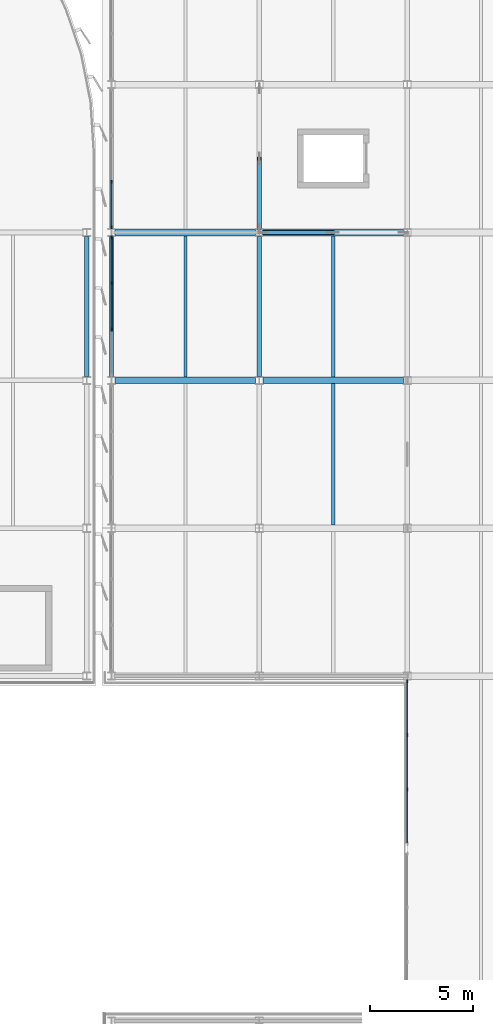
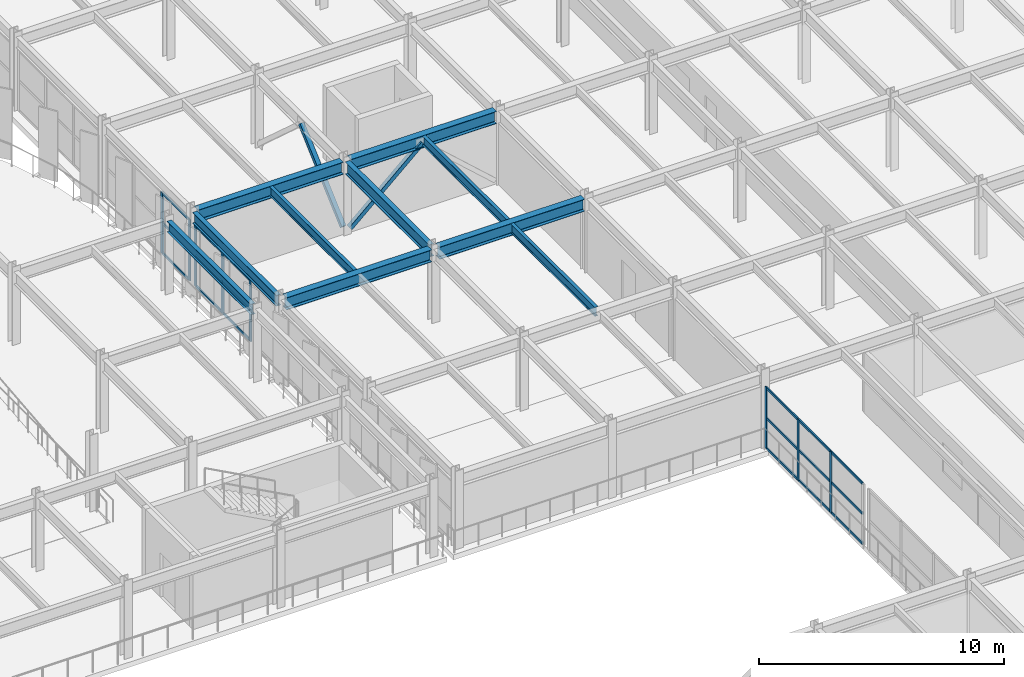
# One storey, part 44 of 93: 28 members, 10 beams, 3 elements without a shape of their own.
"""IFC4 building model written with IfcOpenShell, lengths in metres."""

from ifc_helpers import new_model, si_unit, direction, frame, origin, origin_2d, place, context, subcontext, project, spatial, rectangle, hollow_rectangle, i_section, extrude, material, material_profile, profile_set, type_object, element, aggregate, save


model = new_model("IFC4")

# Units and contexts
model_context = context("Model", 3, precision=1e-05, world=origin(), true_north=direction((0.0, 1.0)))
body_context = subcontext(model_context, "Body", "Model", "MODEL_VIEW")
ifc_project = project(units=[si_unit("LENGTHUNIT", "METRE"), si_unit("AREAUNIT", "SQUARE_METRE"), si_unit("VOLUMEUNIT", "CUBIC_METRE"), si_unit("PLANEANGLEUNIT", "RADIAN"), si_unit("MASSUNIT", "GRAM", prefix="KILO")], contexts=[model_context])

# Site, building, storey
site_placement = place(None, origin())
site = spatial("IfcSite", under=ifc_project, at=site_placement, CompositionType="ELEMENT")
building_placement = place(site_placement, origin())
building = spatial("IfcBuilding", under=site, at=building_placement, Name="Vaelcorin Mobility Hub", CompositionType="ELEMENT")
storey_placement = place(building_placement, frame((0.0, 0.0, 5.39990234375)))
storey = spatial("IfcBuildingStorey", under=building, at=storey_placement, Name="L01", CompositionType="ELEMENT", Elevation=5.39990234375)

# Beams
ifc_material_1 = material(Name="Steel ASTM A992 Grade 50", Category="steel")
ifc_material_profile_1 = material_profile(ifc_material_1, i_section(OverallWidth=0.152099609375, OverallDepth=0.455078125, WebThickness=0.008056640625, FlangeThickness=0.01318359375, FilletRadius=0.012939453125, at=origin_2d()), Name="W18X40")
ifc_profile_set_1 = profile_set([ifc_material_profile_1], Name="Steel ASTM A992 Grade 50")
beam_type_1 = type_object("IfcBeamType", Name="BM-W18X40", PredefinedType="JOIST", material=ifc_profile_set_1)
beam_1_placement = place(storey_placement, frame((157.199951171875, 91.360107421875, 3.443115234375), z_axis=(0.0, 1.0, 0.0), x_axis=(-1.0, 0.0, 0.0)))
element("IfcBeam", 1, at=beam_1_placement, inside=storey, type_object=beam_type_1, Name="L01 Beam V5-L01-J-01-11-1", PredefinedType="JOIST", context=body_context, shape_type="SweptSolid", body=[
    extrude(i_section(OverallWidth=0.152099609375, OverallDepth=0.455078125, WebThickness=0.008056640625, FlangeThickness=0.01318359375, FilletRadius=0.012939453125, at=origin_2d()), origin(), (0.0, 0.0, 1.0), 6.8798828125),
])
beam_2_placement = place(storey_placement, frame((164.39990234375, 84.159912109375, 3.443115234375), z_axis=(0.0, 1.0, 0.0), x_axis=(-1.0, 0.0, 0.0)))
element("IfcBeam", 2, at=beam_2_placement, inside=storey, type_object=beam_type_1, Name="L01 Beam V5-L01-J-02-10-1", PredefinedType="JOIST", context=body_context, shape_type="SweptSolid", body=[
    extrude(i_section(OverallWidth=0.152099609375, OverallDepth=0.455078125, WebThickness=0.008056640625, FlangeThickness=0.01318359375, FilletRadius=0.012939453125, at=origin_2d()), origin(), (0.0, 0.0, 1.0), 6.880126953125),
])
beam_3_placement = place(storey_placement, frame((164.39990234375, 91.360107421875, 3.443115234375), z_axis=(0.0, 1.0, 0.0), x_axis=(-1.0, 0.0, 0.0)))
element("IfcBeam", 3, at=beam_3_placement, inside=storey, type_object=beam_type_1, Name="L01 Beam V5-L01-J-02-11-1", PredefinedType="JOIST", context=body_context, shape_type="SweptSolid", body=[
    extrude(i_section(OverallWidth=0.152099609375, OverallDepth=0.455078125, WebThickness=0.008056640625, FlangeThickness=0.01318359375, FilletRadius=0.012939453125, at=origin_2d()), origin(), (0.0, 0.0, 1.0), 6.8798828125),
])
ifc_material_profile_2 = material_profile(ifc_material_1, i_section(OverallWidth=0.2099609375, OverallDepth=0.535888671875, WebThickness=0.010986328125, FlangeThickness=0.017333984375, FilletRadius=0.013916015625, at=origin_2d()), Name="W21X68")
ifc_profile_set_2 = profile_set([ifc_material_profile_2], Name="Steel ASTM A992 Grade 50")
beam_type_2 = type_object("IfcBeamType", Name="BM-W21X68", PredefinedType="SPANDREL", material=ifc_profile_set_2)
for number, where, z_axis, x_axis, name in (
    (4, (152.39990234375, 91.384033203125, 3.382080078125), (0.0, 1.0, 0.0), (-1.0, 0.0, 0.0), "L01 Beam V2E-L01-GY-05-03"),
    (5, (153.60009765625, 91.384033203125, 3.402099609375), (0.0, 1.0, 0.0), (-1.0, 0.0, 0.0), "L01 Beam V5-L01-GY-01-11"),
):
    element("IfcBeam", number, at=place(storey_placement, frame(where, z_axis=z_axis, x_axis=x_axis)), inside=storey, type_object=beam_type_2, Name=name, PredefinedType="SPANDREL", context=body_context, shape_type="SweptSolid", body=[
        extrude(i_section(OverallWidth=0.2099609375, OverallDepth=0.535888671875, WebThickness=0.010986328125, FlangeThickness=0.017333984375, FilletRadius=0.013916015625, at=origin_2d()), origin(), (0.0, 0.0, 1.0), 6.83203125),
    ])
ifc_material_profile_3 = material_profile(ifc_material_1, i_section(OverallWidth=0.324951171875, OverallDepth=0.612060546875, WebThickness=0.0126953125, FlangeThickness=0.01904296875, FilletRadius=0.014892578125, at=origin_2d()), Name="W24X104")
ifc_profile_set_3 = profile_set([ifc_material_profile_3], Name="Steel ASTM A992 Grade 50")
beam_type_3 = type_object("IfcBeamType", Name="BM-W24X104", PredefinedType="BEAM", material=ifc_profile_set_3)
beam_4_placement = place(storey_placement, frame((153.783935546875, 91.199951171875, 3.364013671875), z_axis=(1.0, 0.0, 0.0), x_axis=(0.0, 1.0, 0.0)))
element("IfcBeam", 6, at=beam_4_placement, inside=storey, type_object=beam_type_3, Name="L01 Beam V5-L01-GX-11-01", PredefinedType="BEAM", context=body_context, shape_type="SweptSolid", body=[
    extrude(i_section(OverallWidth=0.324951171875, OverallDepth=0.612060546875, WebThickness=0.0126953125, FlangeThickness=0.01904296875, FilletRadius=0.014892578125, at=origin_2d()), origin(), (0.0, 0.0, 1.0), 6.8310546875),
])
beam_5_placement = place(storey_placement, frame((160.98388671875, 91.199951171875, 3.364013671875), z_axis=(1.0, 0.0, 0.0), x_axis=(0.0, 1.0, 0.0)))
element("IfcBeam", 7, at=beam_5_placement, inside=storey, type_object=beam_type_3, Name="L01 Beam V5-L01-GX-11-02", PredefinedType="BEAM", context=body_context, shape_type="SweptSolid", body=[
    extrude(i_section(OverallWidth=0.324951171875, OverallDepth=0.612060546875, WebThickness=0.0126953125, FlangeThickness=0.01904296875, FilletRadius=0.014892578125, at=origin_2d()), origin(), (0.0, 0.0, 1.0), 6.83203125),
])
beam_6_placement = place(storey_placement, frame((153.783935546875, 98.39990234375, 3.364013671875), z_axis=(1.0, 0.0, 0.0), x_axis=(0.0, 1.0, 0.0)))
element("IfcBeam", 8, at=beam_6_placement, inside=storey, type_object=beam_type_3, Name="L01 Beam V5-L01-GX-12-01", PredefinedType="BEAM", context=body_context, shape_type="SweptSolid", body=[
    extrude(i_section(OverallWidth=0.324951171875, OverallDepth=0.612060546875, WebThickness=0.0126953125, FlangeThickness=0.01904296875, FilletRadius=0.014892578125, at=origin_2d()), origin(), (0.0, 0.0, 1.0), 6.8310546875),
])
beam_7_placement = place(storey_placement, frame((160.98388671875, 98.39990234375, 3.364013671875), z_axis=(1.0, 0.0, 0.0), x_axis=(0.0, 1.0, 0.0)))
element("IfcBeam", 9, at=beam_7_placement, inside=storey, type_object=beam_type_3, Name="L01 Beam V5-L01-GX-12-02", PredefinedType="BEAM", context=body_context, shape_type="SweptSolid", body=[
    extrude(i_section(OverallWidth=0.324951171875, OverallDepth=0.612060546875, WebThickness=0.0126953125, FlangeThickness=0.01904296875, FilletRadius=0.014892578125, at=origin_2d()), origin(), (0.0, 0.0, 1.0), 6.83203125),
])
ifc_material_profile_4 = material_profile(ifc_material_1, i_section(OverallWidth=0.22900390625, OverallDepth=0.612060546875, WebThickness=0.011962890625, FlangeThickness=0.01953125, FilletRadius=0.014892578125, at=origin_2d()), Name="W24X84")
ifc_profile_set_4 = profile_set([ifc_material_profile_4], Name="Steel ASTM A992 Grade 50")
beam_type_4 = type_object("IfcBeamType", Name="BM-W24X84", PredefinedType="BEAM", material=ifc_profile_set_4)
beam_8_placement = place(storey_placement, frame((160.800048828125, 91.384033203125, 3.364013671875), z_axis=(0.0, 1.0, 0.0), x_axis=(-1.0, 0.0, 0.0)))
element("IfcBeam", 10, at=beam_8_placement, inside=storey, type_object=beam_type_4, Name="L01 Beam V5-L01-GY-02-11", PredefinedType="BEAM", context=body_context, shape_type="SweptSolid", body=[
    extrude(i_section(OverallWidth=0.22900390625, OverallDepth=0.612060546875, WebThickness=0.011962890625, FlangeThickness=0.01953125, FilletRadius=0.014892578125, at=origin_2d()), origin(), (0.0, 0.0, 1.0), 6.83203125),
])

# Members
ifc_material_2 = material(Name="Steel ASTM A500 Grade C", Category="steel")
ifc_material_profile_5 = material_profile(ifc_material_2, hollow_rectangle(XDim=0.203125, YDim=0.203125, WallThickness=0.01171875, at=origin_2d()), Name="HSS8X8X0.500")
ifc_profile_set_5 = profile_set([ifc_material_profile_5], Name="Steel ASTM A500 Grade C")
member_type_1 = type_object("IfcMemberType", Name="BR-SCBF-8X8", PredefinedType="BRACE", material=ifc_profile_set_5)
for number, where, z_axis, x_axis, name in (
    (11, (160.989990234375, 98.39990234375, 0.18017578125), (0.743196242044, 0.0, 0.669073498064), (0.0, 1.0, 0.0), "SCBF Chevron Brace V5-BX2-L01-A"),
    (12, (160.800048828125, 98.590087890625, 0.18017578125), (0.0, 0.743196242044, 0.669073498064), (-1.0, 0.0, 0.0), "SCBF Chevron Brace V5-BY2-L01-A"),
):
    element("IfcMember", number, at=place(storey_placement, frame(where, z_axis=z_axis, x_axis=x_axis)), inside=storey, type_object=member_type_1, Name=name, PredefinedType="BRACE", context=body_context, shape_type="SweptSolid", body=[
        extrude(hollow_rectangle(XDim=0.203125, YDim=0.203125, WallThickness=0.01171875, at=origin_2d()), origin(), (0.0, 0.0, 1.0), 4.588134765625),
    ])

# Curtain wall, members
ifc_material_3 = material(Name="Anodised aluminium 6063-T6", Category="aluminium")
curtain_wall_type = type_object("IfcCurtainWallType", Name="CW-MOB-A", PredefinedType="NOTDEFINED", material=ifc_material_3)
curtain_wall_1_placement = place(storey_placement, origin())
curtain_wall_1 = element("IfcCurtainWall", 13, at=curtain_wall_1_placement, inside=storey, type_object=curtain_wall_type, Name="L01 Curtain Wall CW-V5-L01-WN-03", PredefinedType="NOTDEFINED")
ifc_material_profile_6 = material_profile(ifc_material_3, rectangle(XDim=0.06005859375, YDim=0.159912109375, at=origin_2d()), Name="ALU-M60X160")
ifc_profile_set_6 = profile_set([ifc_material_profile_6], Name="Anodised aluminium 6063-T6")
member_type_2 = type_object("IfcMemberType", Name="CW-MULL-160", PredefinedType="MULLION", material=ifc_profile_set_6)
member_1_placement = place(storey_placement, frame((153.60009765625, 93.67333984375, 0.0), z_axis=(0.0, 0.0, 1.0), x_axis=(-1.0, 0.0, 0.0)))
member_1 = element("IfcMember", 14, at=member_1_placement, type_object=member_type_2, Name="CW7 mullion 2", PredefinedType="MULLION", context=body_context, shape_type="SweptSolid", body=[
    extrude(rectangle(XDim=0.06005859375, YDim=0.159912109375, at=origin_2d()), origin(), (0.0, 0.0, 1.0), 3.043212890625),
])
member_2_placement = place(storey_placement, frame((153.60009765625, 95.9267578125, 0.0), z_axis=(0.0, 0.0, 1.0), x_axis=(-1.0, 0.0, 0.0)))
member_2 = element("IfcMember", 15, at=member_2_placement, type_object=member_type_2, Name="CW7 mullion 3", PredefinedType="MULLION", context=body_context, shape_type="SweptSolid", body=[
    extrude(rectangle(XDim=0.06005859375, YDim=0.159912109375, at=origin_2d()), origin(), (0.0, 0.0, 1.0), 3.043212890625),
])
member_3_placement = place(storey_placement, frame((153.60009765625, 98.14990234375, 0.0), z_axis=(0.0, 0.0, 1.0), x_axis=(-1.0, 0.0, 0.0)))
member_3 = element("IfcMember", 16, at=member_3_placement, type_object=member_type_2, Name="CW7 mullion 4", PredefinedType="MULLION", context=body_context, shape_type="SweptSolid", body=[
    extrude(rectangle(XDim=0.06005859375, YDim=0.159912109375, at=origin_2d()), origin(), (0.0, 0.0, 1.0), 3.043212890625),
])

curtain_wall_2_placement = place(storey_placement, origin())
curtain_wall_2 = element("IfcCurtainWall", 17, at=curtain_wall_2_placement, inside=storey, type_object=curtain_wall_type, Name="L01 Curtain Wall CW-V5-L01-WN-04", PredefinedType="NOTDEFINED")
member_4_placement = place(storey_placement, frame((153.60009765625, 98.64990234375, 0.0), z_axis=(0.0, 0.0, 1.0), x_axis=(-1.0, 0.0, 0.0)))
member_4 = element("IfcMember", 18, at=member_4_placement, type_object=member_type_2, Name="CW7 mullion 1", PredefinedType="MULLION", context=body_context, shape_type="SweptSolid", body=[
    extrude(rectangle(XDim=0.06005859375, YDim=0.159912109375, at=origin_2d()), origin(), (0.0, 0.0, 1.0), 3.043212890625),
])
member_5_placement = place(storey_placement, frame((153.60009765625, 100.873291015625, 0.0), z_axis=(0.0, 0.0, 1.0), x_axis=(-1.0, 0.0, 0.0)))
member_5 = element("IfcMember", 19, at=member_5_placement, type_object=member_type_2, Name="CW7 mullion 2", PredefinedType="MULLION", context=body_context, shape_type="SweptSolid", body=[
    extrude(rectangle(XDim=0.06005859375, YDim=0.159912109375, at=origin_2d()), origin(), (0.0, 0.0, 1.0), 3.043212890625),
])

curtain_wall_3_placement = place(storey_placement, origin())
curtain_wall_3 = element("IfcCurtainWall", 20, at=curtain_wall_3_placement, inside=storey, type_object=curtain_wall_type, Name="L01 Curtain Wall CW-V5-L01-NOTCH-2", PredefinedType="NOTDEFINED")
member_6_placement = place(storey_placement, frame((168.0, 71.2734375, 0.0), z_axis=(0.0, 0.0, 1.0), x_axis=(-1.0, 0.0, 0.0)))
member_6 = element("IfcMember", 21, at=member_6_placement, type_object=member_type_2, Name="CW7 mullion 2", PredefinedType="MULLION", context=body_context, shape_type="SweptSolid", body=[
    extrude(rectangle(XDim=0.06005859375, YDim=0.159912109375, at=origin_2d()), origin(), (0.0, 0.0, 1.0), 3.043212890625),
])
member_7_placement = place(storey_placement, frame((168.0, 73.9267578125, 0.0), z_axis=(0.0, 0.0, 1.0), x_axis=(-1.0, 0.0, 0.0)))
member_7 = element("IfcMember", 22, at=member_7_placement, type_object=member_type_2, Name="CW7 mullion 3", PredefinedType="MULLION", context=body_context, shape_type="SweptSolid", body=[
    extrude(rectangle(XDim=0.06005859375, YDim=0.159912109375, at=origin_2d()), origin(), (0.0, 0.0, 1.0), 3.043212890625),
])
member_8_placement = place(storey_placement, frame((168.0, 76.550048828125, 0.0), z_axis=(0.0, 0.0, 1.0), x_axis=(-1.0, 0.0, 0.0)))
member_8 = element("IfcMember", 23, at=member_8_placement, type_object=member_type_2, Name="CW7 mullion 4", PredefinedType="MULLION", context=body_context, shape_type="SweptSolid", body=[
    extrude(rectangle(XDim=0.06005859375, YDim=0.159912109375, at=origin_2d()), origin(), (0.0, 0.0, 1.0), 3.043212890625),
])

# Member
ifc_material_profile_7 = material_profile(ifc_material_3, rectangle(XDim=0.06005859375, YDim=0.1201171875, at=origin_2d()), Name="ALU-T60X120")
ifc_profile_set_7 = profile_set([ifc_material_profile_7], Name="Anodised aluminium 6063-T6")
member_type_3 = type_object("IfcMemberType", Name="CW-TRAN-140", PredefinedType="USERDEFINED", material=ifc_profile_set_7)
member_9_placement = place(storey_placement, frame((153.60009765625, 93.703369140625, 0.030029296875), z_axis=(0.0, 1.0, 0.0), x_axis=(-1.0, 0.0, 0.0)))
member_9 = element("IfcMember", 24, at=member_9_placement, type_object=member_type_3, Name="CW7 transom 2.1", ObjectType="TRANSOM", PredefinedType="USERDEFINED", context=body_context, shape_type="SweptSolid", body=[
    extrude(rectangle(XDim=0.06005859375, YDim=0.1201171875, at=origin_2d()), origin(), (0.0, 0.0, 1.0), 2.193359375),
])

member_10_placement = place(storey_placement, frame((153.60009765625, 93.703369140625, 1.522216796875), z_axis=(0.0, 1.0, 0.0), x_axis=(-1.0, 0.0, 0.0)))
member_10 = element("IfcMember", 25, at=member_10_placement, type_object=member_type_3, Name="CW7 transom 2.2", ObjectType="TRANSOM", PredefinedType="USERDEFINED", context=body_context, shape_type="SweptSolid", body=[
    extrude(rectangle(XDim=0.06005859375, YDim=0.1201171875, at=origin_2d()), origin(), (0.0, 0.0, 1.0), 2.193359375),
])

member_11_placement = place(storey_placement, frame((153.60009765625, 93.703369140625, 3.01318359375), z_axis=(0.0, 1.0, 0.0), x_axis=(-1.0, 0.0, 0.0)))
member_11 = element("IfcMember", 26, at=member_11_placement, type_object=member_type_3, Name="CW7 transom 2.3", ObjectType="TRANSOM", PredefinedType="USERDEFINED", context=body_context, shape_type="SweptSolid", body=[
    extrude(rectangle(XDim=0.06005859375, YDim=0.1201171875, at=origin_2d()), origin(), (0.0, 0.0, 1.0), 2.193359375),
])

member_12_placement = place(storey_placement, frame((153.60009765625, 95.956787109375, 0.030029296875), z_axis=(0.0, 1.0, 0.0), x_axis=(-1.0, 0.0, 0.0)))
member_12 = element("IfcMember", 27, at=member_12_placement, type_object=member_type_3, Name="CW7 transom 3.1", ObjectType="TRANSOM", PredefinedType="USERDEFINED", context=body_context, shape_type="SweptSolid", body=[
    extrude(rectangle(XDim=0.06005859375, YDim=0.1201171875, at=origin_2d()), origin(), (0.0, 0.0, 1.0), 2.163330078125),
])

member_13_placement = place(storey_placement, frame((153.60009765625, 95.956787109375, 1.522216796875), z_axis=(0.0, 1.0, 0.0), x_axis=(-1.0, 0.0, 0.0)))
member_13 = element("IfcMember", 28, at=member_13_placement, type_object=member_type_3, Name="CW7 transom 3.2", ObjectType="TRANSOM", PredefinedType="USERDEFINED", context=body_context, shape_type="SweptSolid", body=[
    extrude(rectangle(XDim=0.06005859375, YDim=0.1201171875, at=origin_2d()), origin(), (0.0, 0.0, 1.0), 2.163330078125),
])

member_14_placement = place(storey_placement, frame((153.60009765625, 95.956787109375, 3.01318359375), z_axis=(0.0, 1.0, 0.0), x_axis=(-1.0, 0.0, 0.0)))
member_14 = element("IfcMember", 29, at=member_14_placement, type_object=member_type_3, Name="CW7 transom 3.3", ObjectType="TRANSOM", PredefinedType="USERDEFINED", context=body_context, shape_type="SweptSolid", body=[
    extrude(rectangle(XDim=0.06005859375, YDim=0.1201171875, at=origin_2d()), origin(), (0.0, 0.0, 1.0), 2.163330078125),
])

aggregate(curtain_wall_1, [member_1, member_2, member_3, member_9, member_10, member_11, member_12, member_13, member_14])

member_15_placement = place(storey_placement, frame((153.60009765625, 98.679931640625, 0.030029296875), z_axis=(0.0, 1.0, 0.0), x_axis=(-1.0, 0.0, 0.0)))
member_15 = element("IfcMember", 30, at=member_15_placement, type_object=member_type_3, Name="CW7 transom 1.1", ObjectType="TRANSOM", PredefinedType="USERDEFINED", context=body_context, shape_type="SweptSolid", body=[
    extrude(rectangle(XDim=0.06005859375, YDim=0.1201171875, at=origin_2d()), origin(), (0.0, 0.0, 1.0), 2.163330078125),
])

member_16_placement = place(storey_placement, frame((153.60009765625, 98.679931640625, 1.522216796875), z_axis=(0.0, 1.0, 0.0), x_axis=(-1.0, 0.0, 0.0)))
member_16 = element("IfcMember", 31, at=member_16_placement, type_object=member_type_3, Name="CW7 transom 1.2", ObjectType="TRANSOM", PredefinedType="USERDEFINED", context=body_context, shape_type="SweptSolid", body=[
    extrude(rectangle(XDim=0.06005859375, YDim=0.1201171875, at=origin_2d()), origin(), (0.0, 0.0, 1.0), 2.163330078125),
])

member_17_placement = place(storey_placement, frame((153.60009765625, 98.679931640625, 3.01318359375), z_axis=(0.0, 1.0, 0.0), x_axis=(-1.0, 0.0, 0.0)))
member_17 = element("IfcMember", 32, at=member_17_placement, type_object=member_type_3, Name="CW7 transom 1.3", ObjectType="TRANSOM", PredefinedType="USERDEFINED", context=body_context, shape_type="SweptSolid", body=[
    extrude(rectangle(XDim=0.06005859375, YDim=0.1201171875, at=origin_2d()), origin(), (0.0, 0.0, 1.0), 2.163330078125),
])

aggregate(curtain_wall_2, [member_4, member_5, member_15, member_16, member_17])

member_18_placement = place(storey_placement, frame((168.0, 68.679931640625, 0.030029296875), z_axis=(0.0, 1.0, 0.0), x_axis=(-1.0, 0.0, 0.0)))
member_18 = element("IfcMember", 33, at=member_18_placement, type_object=member_type_3, Name="CW7 transom 1.1", ObjectType="TRANSOM", PredefinedType="USERDEFINED", context=body_context, shape_type="SweptSolid", body=[
    extrude(rectangle(XDim=0.06005859375, YDim=0.1201171875, at=origin_2d()), origin(), (0.0, 0.0, 1.0), 2.5634765625),
])

member_19_placement = place(storey_placement, frame((168.0, 68.679931640625, 1.522216796875), z_axis=(0.0, 1.0, 0.0), x_axis=(-1.0, 0.0, 0.0)))
member_19 = element("IfcMember", 34, at=member_19_placement, type_object=member_type_3, Name="CW7 transom 1.2", ObjectType="TRANSOM", PredefinedType="USERDEFINED", context=body_context, shape_type="SweptSolid", body=[
    extrude(rectangle(XDim=0.06005859375, YDim=0.1201171875, at=origin_2d()), origin(), (0.0, 0.0, 1.0), 2.5634765625),
])

member_20_placement = place(storey_placement, frame((168.0, 68.679931640625, 3.01318359375), z_axis=(0.0, 1.0, 0.0), x_axis=(-1.0, 0.0, 0.0)))
member_20 = element("IfcMember", 35, at=member_20_placement, type_object=member_type_3, Name="CW7 transom 1.3", ObjectType="TRANSOM", PredefinedType="USERDEFINED", context=body_context, shape_type="SweptSolid", body=[
    extrude(rectangle(XDim=0.06005859375, YDim=0.1201171875, at=origin_2d()), origin(), (0.0, 0.0, 1.0), 2.5634765625),
])

member_21_placement = place(storey_placement, frame((168.0, 71.30322265625, 0.030029296875), z_axis=(0.0, 1.0, 0.0), x_axis=(-1.0, 0.0, 0.0)))
member_21 = element("IfcMember", 36, at=member_21_placement, type_object=member_type_3, Name="CW7 transom 2.1", ObjectType="TRANSOM", PredefinedType="USERDEFINED", context=body_context, shape_type="SweptSolid", body=[
    extrude(rectangle(XDim=0.06005859375, YDim=0.1201171875, at=origin_2d()), origin(), (0.0, 0.0, 1.0), 2.593505859375),
])

member_22_placement = place(storey_placement, frame((168.0, 71.30322265625, 1.522216796875), z_axis=(0.0, 1.0, 0.0), x_axis=(-1.0, 0.0, 0.0)))
member_22 = element("IfcMember", 37, at=member_22_placement, type_object=member_type_3, Name="CW7 transom 2.2", ObjectType="TRANSOM", PredefinedType="USERDEFINED", context=body_context, shape_type="SweptSolid", body=[
    extrude(rectangle(XDim=0.06005859375, YDim=0.1201171875, at=origin_2d()), origin(), (0.0, 0.0, 1.0), 2.593505859375),
])

member_23_placement = place(storey_placement, frame((168.0, 71.30322265625, 3.01318359375), z_axis=(0.0, 1.0, 0.0), x_axis=(-1.0, 0.0, 0.0)))
member_23 = element("IfcMember", 38, at=member_23_placement, type_object=member_type_3, Name="CW7 transom 2.3", ObjectType="TRANSOM", PredefinedType="USERDEFINED", context=body_context, shape_type="SweptSolid", body=[
    extrude(rectangle(XDim=0.06005859375, YDim=0.1201171875, at=origin_2d()), origin(), (0.0, 0.0, 1.0), 2.593505859375),
])

member_24_placement = place(storey_placement, frame((168.0, 73.956787109375, 0.030029296875), z_axis=(0.0, 1.0, 0.0), x_axis=(-1.0, 0.0, 0.0)))
member_24 = element("IfcMember", 39, at=member_24_placement, type_object=member_type_3, Name="CW7 transom 3.1", ObjectType="TRANSOM", PredefinedType="USERDEFINED", context=body_context, shape_type="SweptSolid", body=[
    extrude(rectangle(XDim=0.06005859375, YDim=0.1201171875, at=origin_2d()), origin(), (0.0, 0.0, 1.0), 2.563232421875),
])

member_25_placement = place(storey_placement, frame((168.0, 73.956787109375, 1.522216796875), z_axis=(0.0, 1.0, 0.0), x_axis=(-1.0, 0.0, 0.0)))
member_25 = element("IfcMember", 40, at=member_25_placement, type_object=member_type_3, Name="CW7 transom 3.2", ObjectType="TRANSOM", PredefinedType="USERDEFINED", context=body_context, shape_type="SweptSolid", body=[
    extrude(rectangle(XDim=0.06005859375, YDim=0.1201171875, at=origin_2d()), origin(), (0.0, 0.0, 1.0), 2.563232421875),
])

member_26_placement = place(storey_placement, frame((168.0, 73.956787109375, 3.01318359375), z_axis=(0.0, 1.0, 0.0), x_axis=(-1.0, 0.0, 0.0)))
member_26 = element("IfcMember", 41, at=member_26_placement, type_object=member_type_3, Name="CW7 transom 3.3", ObjectType="TRANSOM", PredefinedType="USERDEFINED", context=body_context, shape_type="SweptSolid", body=[
    extrude(rectangle(XDim=0.06005859375, YDim=0.1201171875, at=origin_2d()), origin(), (0.0, 0.0, 1.0), 2.563232421875),
])

aggregate(curtain_wall_3, [member_6, member_7, member_8, member_18, member_19, member_20, member_21, member_22, member_23, member_24, member_25, member_26])

save(model, "model.ifc")
